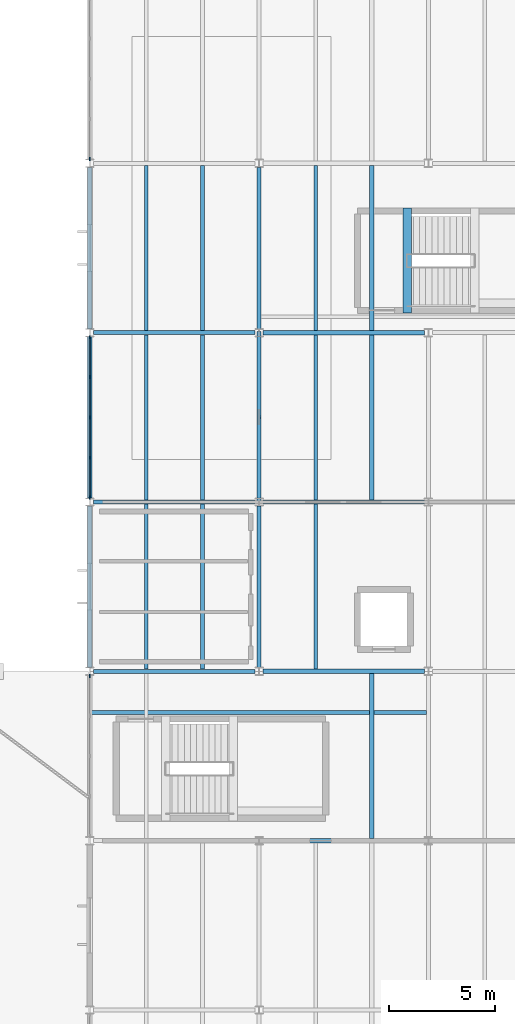
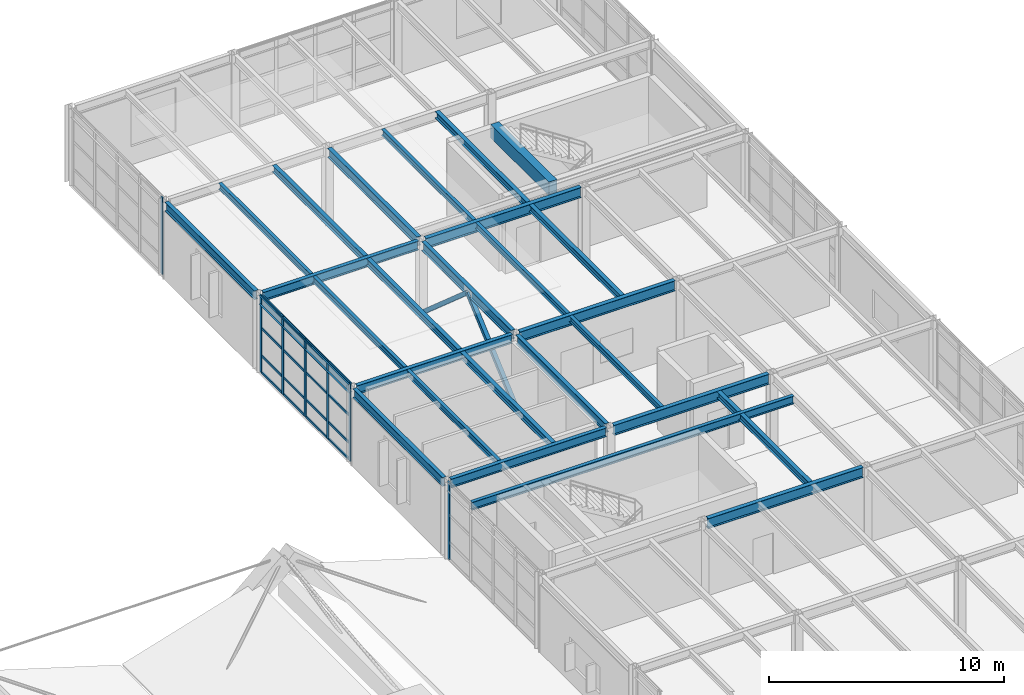
# One storey, part 25 of 50: 27 beams, 25 members, 3 elements without a shape of their own.
"""IFC4 building model written with IfcOpenShell, lengths in metres."""

from ifc_helpers import new_model, si_unit, direction, frame, origin, origin_2d, place, context, subcontext, project, spatial, rectangle, hollow_rectangle, i_section, extrude, material, layer, layer_set, material_profile, profile_set, type_object, element, aggregate, save


model = new_model("IFC4")

# Units and contexts
model_context = context("Model", 3, precision=1e-05, world=origin(), true_north=direction((0.0, 1.0)))
body_context = subcontext(model_context, "Body", "Model", "MODEL_VIEW")
ifc_project = project(units=[si_unit("LENGTHUNIT", "METRE"), si_unit("AREAUNIT", "SQUARE_METRE"), si_unit("VOLUMEUNIT", "CUBIC_METRE"), si_unit("PLANEANGLEUNIT", "RADIAN"), si_unit("MASSUNIT", "GRAM", prefix="KILO")], contexts=[model_context])

# Site, building, storey
site_placement = place(None, origin())
site = spatial("IfcSite", under=ifc_project, at=site_placement, CompositionType="ELEMENT")
building_placement = place(site_placement, origin())
building = spatial("IfcBuilding", under=site, at=building_placement, Name="Varnela Railside Interchange", CompositionType="ELEMENT")
storey_placement = place(building_placement, frame((0.0, 0.0, 15.39990234375)))
storey = spatial("IfcBuildingStorey", under=building, at=storey_placement, Name="L03", CompositionType="ELEMENT", Elevation=15.39990234375)

# Beams
ifc_material_1 = material(Name="Steel AR 350 (350 MPa)", Category="steel")
ifc_material_profile_1 = material_profile(ifc_material_1, i_section(OverallWidth=0.1650390625, OverallDepth=0.31005859375, WebThickness=0.005859375, FlangeThickness=0.009765625, at=origin_2d()), Name="W310x38.7")
ifc_profile_set_1 = profile_set([ifc_material_profile_1], Name="Steel AR 350 (350 MPa)")
beam_type_1 = type_object("IfcBeamType", Name="Composite Floor Joist J-04", PredefinedType="JOIST", material=ifc_profile_set_1)
for number, where, z_axis, x_axis, name in (
    (1, (118.669921875, 62.1044921875, 3.84521484375), (0.0, 1.0, 0.0), (-1.0, 0.0, 0.0), "Composite Floor Joist J-04 (L03) (BM-2137)"),
    (2, (118.669921875, 70.1044921875, 3.84521484375), (0.0, 1.0, 0.0), (-1.0, 0.0, 0.0), "Composite Floor Joist J-04 (L03) (BM-2139)"),
    (3, (118.669921875, 78.1044921875, 3.84521484375), (0.0, 1.0, 0.0), (-1.0, 0.0, 0.0), "Composite Floor Joist J-04 (L03) (BM-2141)"),
    (4, (126.669921875, 62.1044921875, 3.84521484375), (0.0, 1.0, 0.0), (-1.0, 0.0, 0.0), "Composite Floor Joist J-04 (L03) (BM-2150)"),
    (5, (126.669921875, 70.1044921875, 3.84521484375), (0.0, 1.0, 0.0), (-1.0, 0.0, 0.0), "Composite Floor Joist J-04 (L03) (BM-2151)"),
    (6, (126.669921875, 78.1044921875, 3.84521484375), (0.0, 1.0, 0.0), (-1.0, 0.0, 0.0), "Composite Floor Joist J-04 (L03) (BM-2153)"),
):
    element("IfcBeam", number, at=place(storey_placement, frame(where, z_axis=z_axis, x_axis=x_axis)), inside=storey, type_object=beam_type_1, Name=name, PredefinedType="JOIST", context=body_context, shape_type="SweptSolid", body=[
        extrude(i_section(OverallWidth=0.1650390625, OverallDepth=0.31005859375, WebThickness=0.005859375, FlangeThickness=0.009765625, at=origin_2d()), origin(), (0.0, 0.0, 1.0), 7.791015625),
    ])
ifc_material_profile_2 = material_profile(ifc_material_1, i_section(OverallWidth=0.208984375, OverallDepth=0.532958984375, WebThickness=0.01025390625, FlangeThickness=0.015625, at=origin_2d()), Name="W530x92")
ifc_profile_set_2 = profile_set([ifc_material_profile_2], Name="Steel AR 350 (350 MPa)")
beam_type_2 = type_object("IfcBeamType", Name="Composite Girder B-18", PredefinedType="BEAM", material=ifc_profile_set_2)
for number, where, z_axis, x_axis, name in (
    (7, (124.1865234375, 54.0, 3.733642578125), (1.0, 0.0, 0.0), (0.0, 1.0, 0.0), "Composite Girder B-18 (L03) (BM-2232)"),
    (8, (124.1865234375, 62.0, 3.733642578125), (1.0, 0.0, 0.0), (0.0, 1.0, 0.0), "Composite Girder B-18 (L03) (BM-2238)"),
    (9, (124.1865234375, 70.0, 3.733642578125), (1.0, 0.0, 0.0), (0.0, 1.0, 0.0), "Composite Girder B-18 (L03) (BM-2244)"),
    (10, (124.1865234375, 78.0, 3.733642578125), (1.0, 0.0, 0.0), (0.0, 1.0, 0.0), "Composite Girder B-18 (L03) (BM-2250)"),
):
    element("IfcBeam", number, at=place(storey_placement, frame(where, z_axis=z_axis, x_axis=x_axis)), inside=storey, type_object=beam_type_2, Name=name, PredefinedType="BEAM", context=body_context, shape_type="SweptSolid", body=[
        extrude(i_section(OverallWidth=0.208984375, OverallDepth=0.532958984375, WebThickness=0.01025390625, FlangeThickness=0.015625, at=origin_2d()), origin(), (0.0, 0.0, 1.0), 7.626953125),
    ])
ifc_material_profile_3 = material_profile(ifc_material_1, i_section(OverallWidth=0.202880859375, OverallDepth=0.346923828125, WebThickness=0.0078125, FlangeThickness=0.013427734375, at=origin_2d()), Name="W360x64")
ifc_profile_set_3 = profile_set([ifc_material_profile_3], Name="Steel AR 350 (350 MPa)")
beam_type_3 = type_object("IfcBeamType", Name="Composite Heavy Joist J-01", PredefinedType="JOIST", material=ifc_profile_set_3)
for number, where, z_axis, x_axis, name in (
    (11, (121.330078125, 62.1044921875, 3.82666015625), (0.0, 1.0, 0.0), (-1.0, 0.0, 0.0), "Composite Heavy Joist J-01 (L03) (BM-2138)"),
    (12, (121.330078125, 70.1044921875, 3.82666015625), (0.0, 1.0, 0.0), (-1.0, 0.0, 0.0), "Composite Heavy Joist J-01 (L03) (BM-2140)"),
    (13, (121.330078125, 78.1044921875, 3.82666015625), (0.0, 1.0, 0.0), (-1.0, 0.0, 0.0), "Composite Heavy Joist J-01 (L03) (BM-2142)"),
    (14, (129.330078125, 54.1044921875, 3.82666015625), (0.0, 1.0, 0.0), (-1.0, 0.0, 0.0), "Composite Heavy Joist J-01 (L03) (BM-2149)"),
    (15, (129.330078125, 70.1044921875, 3.82666015625), (0.0, 1.0, 0.0), (-1.0, 0.0, 0.0), "Composite Heavy Joist J-01 (L03) (BM-2152)"),
    (16, (129.330078125, 78.1044921875, 3.82666015625), (0.0, 1.0, 0.0), (-1.0, 0.0, 0.0), "Composite Heavy Joist J-01 (L03) (BM-2154)"),
):
    element("IfcBeam", number, at=place(storey_placement, frame(where, z_axis=z_axis, x_axis=x_axis)), inside=storey, type_object=beam_type_3, Name=name, PredefinedType="JOIST", context=body_context, shape_type="SweptSolid", body=[
        extrude(i_section(OverallWidth=0.202880859375, OverallDepth=0.346923828125, WebThickness=0.0078125, FlangeThickness=0.013427734375, at=origin_2d()), origin(), (0.0, 0.0, 1.0), 7.791015625),
    ])
ifc_material_profile_4 = material_profile(ifc_material_1, i_section(OverallWidth=0.194091796875, OverallDepth=0.468994140625, WebThickness=0.0126953125, FlangeThickness=0.0205078125, at=origin_2d()), Name="W460x106")
ifc_profile_set_4 = profile_set([ifc_material_profile_4], Name="Steel AR 350 (350 MPa)")
beam_type_4 = type_object("IfcBeamType", Name="Composite Primary Beam B-19", PredefinedType="BEAM", material=ifc_profile_set_4)
for number, where, z_axis, x_axis, name in (
    (17, (124.0, 62.18408203125, 3.765625), (0.0, 1.0, 0.0), (-1.0, 0.0, 0.0), "Composite Primary Beam B-19 (L03) (BM-2285)"),
    (18, (124.0, 70.18408203125, 3.765625), (0.0, 1.0, 0.0), (-1.0, 0.0, 0.0), "Composite Primary Beam B-19 (L03) (BM-2286)"),
    (19, (124.0, 78.18408203125, 3.765625), (0.0, 1.0, 0.0), (-1.0, 0.0, 0.0), "Composite Primary Beam B-19 (L03) (BM-2287)"),
):
    element("IfcBeam", number, at=place(storey_placement, frame(where, z_axis=z_axis, x_axis=x_axis)), inside=storey, type_object=beam_type_4, Name=name, PredefinedType="BEAM", context=body_context, shape_type="SweptSolid", body=[
        extrude(i_section(OverallWidth=0.194091796875, OverallDepth=0.468994140625, WebThickness=0.0126953125, FlangeThickness=0.0205078125, at=origin_2d()), origin(), (0.0, 0.0, 1.0), 7.6318359375),
    ])

# Curtain wall, member
ifc_material_2 = material(Name="Aluminium 6063-T6", Category="aluminium")
ifc_layer_1 = layer(ifc_material_2, 0.035888671875)
ifc_layer_set_1 = layer_set([ifc_layer_1], Name="Aluminium 6063-T6")
curtain_wall_type_1 = type_object("IfcCurtainWallType", Name="Concourse Triple-Height Curtain Wall CW-01", PredefinedType="USERDEFINED", material=ifc_layer_set_1)
curtain_wall_1_placement = place(storey_placement, origin())
curtain_wall_1 = element("IfcCurtainWall", 20, at=curtain_wall_1_placement, inside=storey, type_object=curtain_wall_type_1, Name="Curtain Wall CW-01 (L03) (CW-090)", ObjectType="CURTAIN WALL", PredefinedType="USERDEFINED")
ifc_material_profile_5 = material_profile(ifc_material_2, rectangle(XDim=0.06494140625, YDim=0.179931640625, at=origin_2d()), Name="ALU 65x180")
ifc_profile_set_5 = profile_set([ifc_material_profile_5], Name="Aluminium 6063-T6")
member_type_1 = type_object("IfcMemberType", Name="Concourse Tall Mullion ML-03", PredefinedType="MULLION", material=ifc_profile_set_5)
member_1_placement = place(storey_placement, frame((116.0, 61.783447265625, 0.0), z_axis=(0.0, 0.0, 1.0), x_axis=(-1.0, 0.0, 0.0)))
member_1 = element("IfcMember", 21, at=member_1_placement, type_object=member_type_1, Name="CW-01 mullion 5", PredefinedType="MULLION", context=body_context, shape_type="SweptSolid", body=[
    extrude(rectangle(XDim=0.06494140625, YDim=0.179931640625, at=origin_2d()), origin(), (0.0, 0.0, 1.0), 4.0),
])
aggregate(curtain_wall_1, [member_1])

# Beam
ifc_material_3 = material(Name="Concrete C40", Category="concrete")
ifc_material_profile_6 = material_profile(ifc_material_3, rectangle(XDim=0.39990234375, YDim=0.699951171875, at=origin_2d()), Name="RC 400x700")
ifc_profile_set_6 = profile_set([ifc_material_profile_6], Name="Concrete C40")
beam_type_5 = type_object("IfcBeamType", Name="Concrete Tie Beam B-01", PredefinedType="BEAM", material=ifc_profile_set_6)
beam_1_placement = place(storey_placement, frame((131.0, 78.919921875, 3.650146484375), z_axis=(0.0, 1.0, 0.0), x_axis=(-1.0, 0.0, 0.0)))
element("IfcBeam", 22, at=beam_1_placement, inside=storey, type_object=beam_type_5, Name="Concrete Tie Beam B-01 (L03) (BM-2361)", PredefinedType="BEAM", context=body_context, shape_type="SweptSolid", body=[
    extrude(rectangle(XDim=0.39990234375, YDim=0.699951171875, at=origin_2d()), origin(), (0.0, 0.0, 1.0), 4.9599609375),
])

# Curtain wall, members
ifc_layer_2 = layer(ifc_material_2, 0.035888671875)
ifc_layer_set_2 = layer_set([ifc_layer_2], Name="Aluminium 6063-T6")
curtain_wall_type_2 = type_object("IfcCurtainWallType", Name="Study Pavilion Gallery Curtain Wall CW-02", PredefinedType="USERDEFINED", material=ifc_layer_set_2)
curtain_wall_2_placement = place(storey_placement, origin())
curtain_wall_2 = element("IfcCurtainWall", 23, at=curtain_wall_2_placement, inside=storey, type_object=curtain_wall_type_2, Name="Curtain Wall CW-02 (L03) (CW-091)", ObjectType="CURTAIN WALL", PredefinedType="USERDEFINED")
ifc_material_profile_7 = material_profile(ifc_material_2, rectangle(XDim=0.06005859375, YDim=0.159912109375, at=origin_2d()), Name="ALU 60x160")
ifc_profile_set_7 = profile_set([ifc_material_profile_7], Name="Aluminium 6063-T6")
member_type_2 = type_object("IfcMemberType", Name="Curtain Wall Mullion ML-02", PredefinedType="MULLION", material=ifc_profile_set_7)
member_2_placement = place(storey_placement, frame((116.0, 70.214111328125, 0.0), z_axis=(0.0, 0.0, 1.0), x_axis=(-1.0, 0.0, 0.0)))
member_2 = element("IfcMember", 24, at=member_2_placement, type_object=member_type_2, Name="CW-02 mullion 1", PredefinedType="MULLION", context=body_context, shape_type="SweptSolid", body=[
    extrude(rectangle(XDim=0.06005859375, YDim=0.159912109375, at=origin_2d()), origin(), (0.0, 0.0, 1.0), 4.0),
])
member_3_placement = place(storey_placement, frame((116.0, 72.092041015625, 0.0), z_axis=(0.0, 0.0, 1.0), x_axis=(-1.0, 0.0, 0.0)))
member_3 = element("IfcMember", 25, at=member_3_placement, type_object=member_type_2, Name="CW-02 mullion 2", PredefinedType="MULLION", context=body_context, shape_type="SweptSolid", body=[
    extrude(rectangle(XDim=0.06005859375, YDim=0.159912109375, at=origin_2d()), origin(), (0.0, 0.0, 1.0), 4.0),
])
member_4_placement = place(storey_placement, frame((116.0, 74.0, 0.0), z_axis=(0.0, 0.0, 1.0), x_axis=(-1.0, 0.0, 0.0)))
member_4 = element("IfcMember", 26, at=member_4_placement, type_object=member_type_2, Name="CW-02 mullion 3", PredefinedType="MULLION", context=body_context, shape_type="SweptSolid", body=[
    extrude(rectangle(XDim=0.06005859375, YDim=0.159912109375, at=origin_2d()), origin(), (0.0, 0.0, 1.0), 4.0),
])
member_5_placement = place(storey_placement, frame((116.0, 75.907958984375, 0.0), z_axis=(0.0, 0.0, 1.0), x_axis=(-1.0, 0.0, 0.0)))
member_5 = element("IfcMember", 27, at=member_5_placement, type_object=member_type_2, Name="CW-02 mullion 4", PredefinedType="MULLION", context=body_context, shape_type="SweptSolid", body=[
    extrude(rectangle(XDim=0.06005859375, YDim=0.159912109375, at=origin_2d()), origin(), (0.0, 0.0, 1.0), 4.0),
])
member_6_placement = place(storey_placement, frame((116.0, 77.785888671875, 0.0), z_axis=(0.0, 0.0, 1.0), x_axis=(-1.0, 0.0, 0.0)))
member_6 = element("IfcMember", 28, at=member_6_placement, type_object=member_type_2, Name="CW-02 mullion 5", PredefinedType="MULLION", context=body_context, shape_type="SweptSolid", body=[
    extrude(rectangle(XDim=0.06005859375, YDim=0.159912109375, at=origin_2d()), origin(), (0.0, 0.0, 1.0), 4.0),
])

# Curtain wall, member
curtain_wall_3_placement = place(storey_placement, origin())
curtain_wall_3 = element("IfcCurtainWall", 29, at=curtain_wall_3_placement, inside=storey, type_object=curtain_wall_type_2, Name="Curtain Wall CW-02 (L03) (CW-092)", ObjectType="CURTAIN WALL", PredefinedType="USERDEFINED")
member_7_placement = place(storey_placement, frame((116.0, 86.214111328125, 0.0), z_axis=(0.0, 0.0, 1.0), x_axis=(-1.0, 0.0, 0.0)))
member_7 = element("IfcMember", 30, at=member_7_placement, type_object=member_type_2, Name="CW-02 mullion 1", PredefinedType="MULLION", context=body_context, shape_type="SweptSolid", body=[
    extrude(rectangle(XDim=0.06005859375, YDim=0.159912109375, at=origin_2d()), origin(), (0.0, 0.0, 1.0), 4.0),
])
aggregate(curtain_wall_3, [member_7])

# Member
ifc_material_profile_8 = material_profile(ifc_material_2, rectangle(XDim=0.06005859375, YDim=0.1201171875, at=origin_2d()), Name="ALU 60x120")
ifc_profile_set_8 = profile_set([ifc_material_profile_8], Name="Aluminium 6063-T6")
member_type_3 = type_object("IfcMemberType", Name="Curtain Wall Transom TR-02", PredefinedType="USERDEFINED", material=ifc_profile_set_8)
member_8_placement = place(storey_placement, frame((116.0, 70.243896484375, 0.030029296875), z_axis=(0.0, 1.0, 0.0), x_axis=(-1.0, 0.0, 0.0)))
member_8 = element("IfcMember", 31, at=member_8_placement, type_object=member_type_3, Name="CW-02 transom 1.1", ObjectType="TRANSOM", PredefinedType="USERDEFINED", context=body_context, shape_type="SweptSolid", body=[
    extrude(rectangle(XDim=0.06005859375, YDim=0.1201171875, at=origin_2d()), origin(), (0.0, 0.0, 1.0), 1.818115234375),
])

member_9_placement = place(storey_placement, frame((116.0, 70.243896484375, 0.900146484375), z_axis=(0.0, 1.0, 0.0), x_axis=(-1.0, 0.0, 0.0)))
member_9 = element("IfcMember", 32, at=member_9_placement, type_object=member_type_3, Name="CW-02 transom 1.2", ObjectType="TRANSOM", PredefinedType="USERDEFINED", context=body_context, shape_type="SweptSolid", body=[
    extrude(rectangle(XDim=0.06005859375, YDim=0.1201171875, at=origin_2d()), origin(), (0.0, 0.0, 1.0), 1.818115234375),
])

member_10_placement = place(storey_placement, frame((116.0, 70.243896484375, 2.320068359375), z_axis=(0.0, 1.0, 0.0), x_axis=(-1.0, 0.0, 0.0)))
member_10 = element("IfcMember", 33, at=member_10_placement, type_object=member_type_3, Name="CW-02 transom 1.3", ObjectType="TRANSOM", PredefinedType="USERDEFINED", context=body_context, shape_type="SweptSolid", body=[
    extrude(rectangle(XDim=0.06005859375, YDim=0.1201171875, at=origin_2d()), origin(), (0.0, 0.0, 1.0), 1.818115234375),
])

member_11_placement = place(storey_placement, frame((116.0, 70.243896484375, 3.97021484375), z_axis=(0.0, 1.0, 0.0), x_axis=(-1.0, 0.0, 0.0)))
member_11 = element("IfcMember", 34, at=member_11_placement, type_object=member_type_3, Name="CW-02 transom 1.4", ObjectType="TRANSOM", PredefinedType="USERDEFINED", context=body_context, shape_type="SweptSolid", body=[
    extrude(rectangle(XDim=0.06005859375, YDim=0.1201171875, at=origin_2d()), origin(), (0.0, 0.0, 1.0), 1.818115234375),
])

member_12_placement = place(storey_placement, frame((116.0, 72.1220703125, 0.030029296875), z_axis=(0.0, 1.0, 0.0), x_axis=(-1.0, 0.0, 0.0)))
member_12 = element("IfcMember", 35, at=member_12_placement, type_object=member_type_3, Name="CW-02 transom 2.1", ObjectType="TRANSOM", PredefinedType="USERDEFINED", context=body_context, shape_type="SweptSolid", body=[
    extrude(rectangle(XDim=0.06005859375, YDim=0.1201171875, at=origin_2d()), origin(), (0.0, 0.0, 1.0), 1.847900390625),
])

member_13_placement = place(storey_placement, frame((116.0, 72.1220703125, 0.900146484375), z_axis=(0.0, 1.0, 0.0), x_axis=(-1.0, 0.0, 0.0)))
member_13 = element("IfcMember", 36, at=member_13_placement, type_object=member_type_3, Name="CW-02 transom 2.2", ObjectType="TRANSOM", PredefinedType="USERDEFINED", context=body_context, shape_type="SweptSolid", body=[
    extrude(rectangle(XDim=0.06005859375, YDim=0.1201171875, at=origin_2d()), origin(), (0.0, 0.0, 1.0), 1.847900390625),
])

member_14_placement = place(storey_placement, frame((116.0, 72.1220703125, 2.320068359375), z_axis=(0.0, 1.0, 0.0), x_axis=(-1.0, 0.0, 0.0)))
member_14 = element("IfcMember", 37, at=member_14_placement, type_object=member_type_3, Name="CW-02 transom 2.3", ObjectType="TRANSOM", PredefinedType="USERDEFINED", context=body_context, shape_type="SweptSolid", body=[
    extrude(rectangle(XDim=0.06005859375, YDim=0.1201171875, at=origin_2d()), origin(), (0.0, 0.0, 1.0), 1.847900390625),
])

member_15_placement = place(storey_placement, frame((116.0, 72.1220703125, 3.97021484375), z_axis=(0.0, 1.0, 0.0), x_axis=(-1.0, 0.0, 0.0)))
member_15 = element("IfcMember", 38, at=member_15_placement, type_object=member_type_3, Name="CW-02 transom 2.4", ObjectType="TRANSOM", PredefinedType="USERDEFINED", context=body_context, shape_type="SweptSolid", body=[
    extrude(rectangle(XDim=0.06005859375, YDim=0.1201171875, at=origin_2d()), origin(), (0.0, 0.0, 1.0), 1.847900390625),
])

member_16_placement = place(storey_placement, frame((116.0, 74.030029296875, 0.030029296875), z_axis=(0.0, 1.0, 0.0), x_axis=(-1.0, 0.0, 0.0)))
member_16 = element("IfcMember", 39, at=member_16_placement, type_object=member_type_3, Name="CW-02 transom 3.1", ObjectType="TRANSOM", PredefinedType="USERDEFINED", context=body_context, shape_type="SweptSolid", body=[
    extrude(rectangle(XDim=0.06005859375, YDim=0.1201171875, at=origin_2d()), origin(), (0.0, 0.0, 1.0), 1.847900390625),
])

member_17_placement = place(storey_placement, frame((116.0, 74.030029296875, 0.900146484375), z_axis=(0.0, 1.0, 0.0), x_axis=(-1.0, 0.0, 0.0)))
member_17 = element("IfcMember", 40, at=member_17_placement, type_object=member_type_3, Name="CW-02 transom 3.2", ObjectType="TRANSOM", PredefinedType="USERDEFINED", context=body_context, shape_type="SweptSolid", body=[
    extrude(rectangle(XDim=0.06005859375, YDim=0.1201171875, at=origin_2d()), origin(), (0.0, 0.0, 1.0), 1.847900390625),
])

member_18_placement = place(storey_placement, frame((116.0, 74.030029296875, 2.320068359375), z_axis=(0.0, 1.0, 0.0), x_axis=(-1.0, 0.0, 0.0)))
member_18 = element("IfcMember", 41, at=member_18_placement, type_object=member_type_3, Name="CW-02 transom 3.3", ObjectType="TRANSOM", PredefinedType="USERDEFINED", context=body_context, shape_type="SweptSolid", body=[
    extrude(rectangle(XDim=0.06005859375, YDim=0.1201171875, at=origin_2d()), origin(), (0.0, 0.0, 1.0), 1.847900390625),
])

member_19_placement = place(storey_placement, frame((116.0, 74.030029296875, 3.97021484375), z_axis=(0.0, 1.0, 0.0), x_axis=(-1.0, 0.0, 0.0)))
member_19 = element("IfcMember", 42, at=member_19_placement, type_object=member_type_3, Name="CW-02 transom 3.4", ObjectType="TRANSOM", PredefinedType="USERDEFINED", context=body_context, shape_type="SweptSolid", body=[
    extrude(rectangle(XDim=0.06005859375, YDim=0.1201171875, at=origin_2d()), origin(), (0.0, 0.0, 1.0), 1.847900390625),
])

member_20_placement = place(storey_placement, frame((116.0, 75.93798828125, 0.030029296875), z_axis=(0.0, 1.0, 0.0), x_axis=(-1.0, 0.0, 0.0)))
member_20 = element("IfcMember", 43, at=member_20_placement, type_object=member_type_3, Name="CW-02 transom 4.1", ObjectType="TRANSOM", PredefinedType="USERDEFINED", context=body_context, shape_type="SweptSolid", body=[
    extrude(rectangle(XDim=0.06005859375, YDim=0.1201171875, at=origin_2d()), origin(), (0.0, 0.0, 1.0), 1.818115234375),
])

member_21_placement = place(storey_placement, frame((116.0, 75.93798828125, 0.900146484375), z_axis=(0.0, 1.0, 0.0), x_axis=(-1.0, 0.0, 0.0)))
member_21 = element("IfcMember", 44, at=member_21_placement, type_object=member_type_3, Name="CW-02 transom 4.2", ObjectType="TRANSOM", PredefinedType="USERDEFINED", context=body_context, shape_type="SweptSolid", body=[
    extrude(rectangle(XDim=0.06005859375, YDim=0.1201171875, at=origin_2d()), origin(), (0.0, 0.0, 1.0), 1.818115234375),
])

member_22_placement = place(storey_placement, frame((116.0, 75.93798828125, 2.320068359375), z_axis=(0.0, 1.0, 0.0), x_axis=(-1.0, 0.0, 0.0)))
member_22 = element("IfcMember", 45, at=member_22_placement, type_object=member_type_3, Name="CW-02 transom 4.3", ObjectType="TRANSOM", PredefinedType="USERDEFINED", context=body_context, shape_type="SweptSolid", body=[
    extrude(rectangle(XDim=0.06005859375, YDim=0.1201171875, at=origin_2d()), origin(), (0.0, 0.0, 1.0), 1.818115234375),
])

member_23_placement = place(storey_placement, frame((116.0, 75.93798828125, 3.97021484375), z_axis=(0.0, 1.0, 0.0), x_axis=(-1.0, 0.0, 0.0)))
member_23 = element("IfcMember", 46, at=member_23_placement, type_object=member_type_3, Name="CW-02 transom 4.4", ObjectType="TRANSOM", PredefinedType="USERDEFINED", context=body_context, shape_type="SweptSolid", body=[
    extrude(rectangle(XDim=0.06005859375, YDim=0.1201171875, at=origin_2d()), origin(), (0.0, 0.0, 1.0), 1.818115234375),
])

aggregate(curtain_wall_2, [member_2, member_3, member_4, member_5, member_6, member_8, member_9, member_10, member_11, member_12, member_13, member_14, member_15, member_16, member_17, member_18, member_19, member_20, member_21, member_22, member_23])

# Members
ifc_material_profile_9 = material_profile(ifc_material_1, hollow_rectangle(XDim=0.199951171875, YDim=0.199951171875, WallThickness=0.012451171875, at=origin_2d()), Name="HSS 200x200x12.5")
ifc_profile_set_9 = profile_set([ifc_material_profile_9], Name="Steel AR 350 (350 MPa)")
member_type_4 = type_object("IfcMemberType", Name="Lateral Chevron Brace BR-06", PredefinedType="BRACE", material=ifc_profile_set_9)
for number, where, z_axis, x_axis, name in (
    (47, (124.0, 70.0, 0.150146484375), (0.0, 0.752576694707, 0.658504607869), (-1.0, 0.0, 0.0), "Lateral Chevron Brace BR-06 (L03) (MB-0097)"),
    (48, (124.0, 78.0, 0.150146484375), (0.0, -0.752576694707, 0.658504607869), (1.0, 0.0, 0.0), "Lateral Chevron Brace BR-06 (L03) (MB-0098)"),
):
    element("IfcMember", number, at=place(storey_placement, frame(where, z_axis=z_axis, x_axis=x_axis)), inside=storey, type_object=member_type_4, Name=name, PredefinedType="BRACE", context=body_context, shape_type="SweptSolid", body=[
        extrude(hollow_rectangle(XDim=0.199951171875, YDim=0.199951171875, WallThickness=0.012451171875, at=origin_2d()), origin(), (0.0, 0.0, 1.0), 5.315185546875),
    ])

# Beams
ifc_material_profile_10 = material_profile(ifc_material_1, i_section(OverallWidth=0.179931640625, OverallDepth=0.4130859375, WebThickness=0.009765625, FlangeThickness=0.01611328125, at=origin_2d()), Name="W410x75")
ifc_profile_set_10 = profile_set([ifc_material_profile_10], Name="Steel AR 350 (350 MPa)")
beam_type_6 = type_object("IfcBeamType", Name="Stair Trimmer Steel Beam B-22", PredefinedType="BEAM", material=ifc_profile_set_10)
beam_2_placement = place(storey_placement, frame((116.092041015625, 60.050048828125, 3.793701171875), z_axis=(1.0, 0.0, 0.0), x_axis=(0.0, 1.0, 0.0)))
element("IfcBeam", 49, at=beam_2_placement, inside=storey, type_object=beam_type_6, Name="Stair Trimmer Steel Beam B-22 (L03) (BM-2346)", PredefinedType="BEAM", context=body_context, shape_type="SweptSolid", body=[
    extrude(i_section(OverallWidth=0.179931640625, OverallDepth=0.4130859375, WebThickness=0.009765625, FlangeThickness=0.01611328125, at=origin_2d()), origin(), (0.0, 0.0, 1.0), 15.81591796875),
])
ifc_material_profile_11 = material_profile(ifc_material_1, i_section(OverallWidth=0.19091796875, OverallDepth=0.4599609375, WebThickness=0.010009765625, FlangeThickness=0.01611328125, at=origin_2d()), Name="W460x82")
ifc_profile_set_11 = profile_set([ifc_material_profile_11], Name="Steel AR 350 (350 MPa)")
beam_type_7 = type_object("IfcBeamType", Name="Steel Perimeter Spandrel SP-01", PredefinedType="SPANDREL", material=ifc_profile_set_11)
for number, where, z_axis, x_axis, name in (
    (50, (116.1865234375, 62.0, 3.77001953125), (1.0, 0.0, 0.0), (0.0, 1.0, 0.0), "Steel Perimeter Spandrel SP-01 (L03) (BM-2237)"),
    (51, (116.1865234375, 70.0, 3.77001953125), (1.0, 0.0, 0.0), (0.0, 1.0, 0.0), "Steel Perimeter Spandrel SP-01 (L03) (BM-2243)"),
    (52, (116.1865234375, 78.0, 3.77001953125), (1.0, 0.0, 0.0), (0.0, 1.0, 0.0), "Steel Perimeter Spandrel SP-01 (L03) (BM-2249)"),
):
    element("IfcBeam", number, at=place(storey_placement, frame(where, z_axis=z_axis, x_axis=x_axis)), inside=storey, type_object=beam_type_7, Name=name, PredefinedType="SPANDREL", context=body_context, shape_type="SweptSolid", body=[
        extrude(i_section(OverallWidth=0.19091796875, OverallDepth=0.4599609375, WebThickness=0.010009765625, FlangeThickness=0.01611328125, at=origin_2d()), origin(), (0.0, 0.0, 1.0), 7.626953125),
    ])
for number, where, z_axis, x_axis, name in (
    (53, (116.0, 62.18408203125, 3.77001953125), (0.0, 1.0, 0.0), (-1.0, 0.0, 0.0), "Steel Perimeter Spandrel SP-01 (L03) (BM-2279)"),
    (54, (116.0, 70.18408203125, 3.77001953125), (0.0, 1.0, 0.0), (-1.0, 0.0, 0.0), "Steel Perimeter Spandrel SP-01 (L03) (BM-2280)"),
    (55, (116.0, 78.18408203125, 3.77001953125), (0.0, 1.0, 0.0), (-1.0, 0.0, 0.0), "Steel Perimeter Spandrel SP-01 (L03) (BM-2281)"),
):
    element("IfcBeam", number, at=place(storey_placement, frame(where, z_axis=z_axis, x_axis=x_axis)), inside=storey, type_object=beam_type_7, Name=name, PredefinedType="SPANDREL", context=body_context, shape_type="SweptSolid", body=[
        extrude(i_section(OverallWidth=0.19091796875, OverallDepth=0.4599609375, WebThickness=0.010009765625, FlangeThickness=0.01611328125, at=origin_2d()), origin(), (0.0, 0.0, 1.0), 7.6318359375),
    ])

save(model, "model.ifc")
